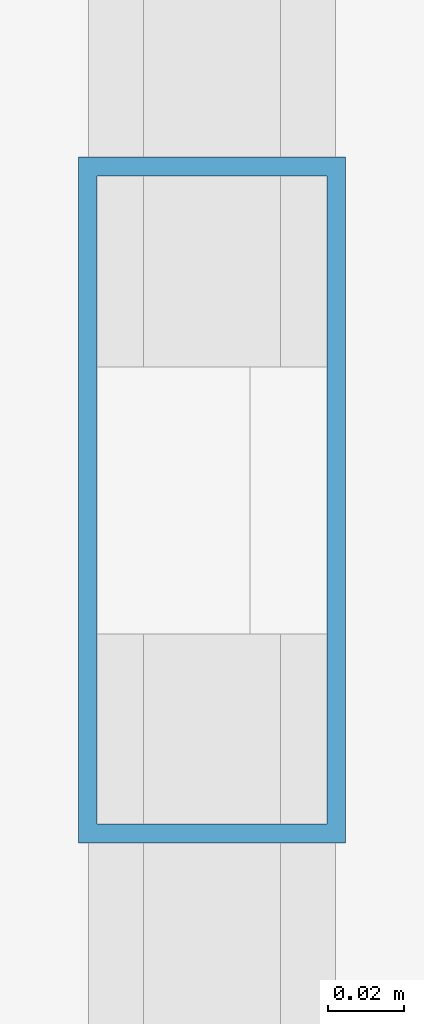
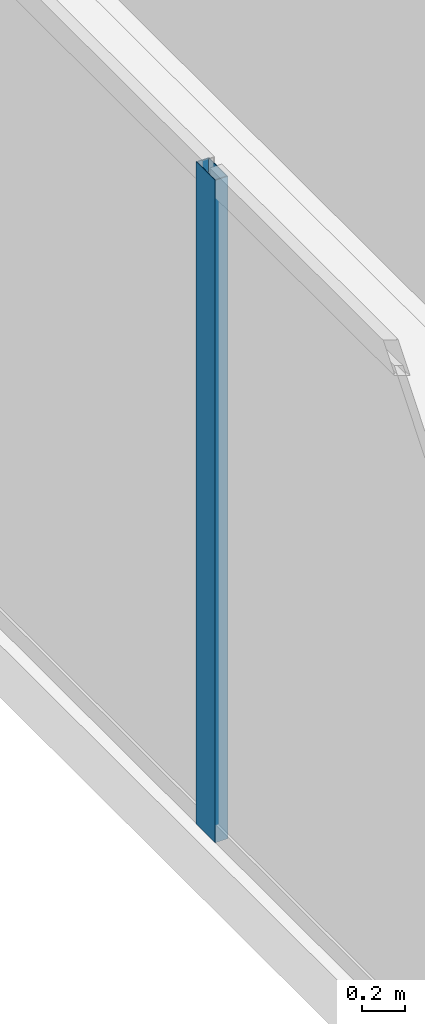
# One storey, part 9 of 36: 1 member, 1 element without a shape of its own.
"""IFC4 building model written with IfcOpenShell, lengths in metres."""

from ifc_helpers import new_model, si_unit, direction, frame, origin, origin_2d, place, context, subcontext, project, spatial, hollow_rectangle, extrude, source, transform, mapped, material, layer, layer_set, material_profile, profile_set, type_object, type_shapes, element, aggregate, save


model = new_model("IFC4")

# Units and contexts
model_context = context("Model", 3, precision=1e-05, world=origin(), true_north=direction((0.0, 1.0)))
body_context = subcontext(model_context, "Body", "Model", "MODEL_VIEW")
ifc_project = project(units=[si_unit("LENGTHUNIT", "METRE"), si_unit("AREAUNIT", "SQUARE_METRE"), si_unit("VOLUMEUNIT", "CUBIC_METRE"), si_unit("PLANEANGLEUNIT", "RADIAN"), si_unit("MASSUNIT", "GRAM", prefix="KILO")], contexts=[model_context])

# Site, building, storey
site_placement = place(None, origin())
site = spatial("IfcSite", under=ifc_project, at=site_placement, CompositionType="ELEMENT")
building_placement = place(site_placement, origin())
building = spatial("IfcBuilding", under=site, at=building_placement, Name="Haelvirn Gate Laboratories", CompositionType="ELEMENT")
storey_placement = place(building_placement, frame((0.0, 0.0, 254.699951171875)))
storey = spatial("IfcBuildingStorey", under=building, at=storey_placement, Name="L61", CompositionType="ELEMENT", Elevation=254.699951171875)

# Curtain wall, member
ifc_material_1 = material(Name="Anodised bronze unitised aluminium & triple low-E glass", Category="aluminium")
ifc_layer = layer(ifc_material_1, 0.176025390625, Name="CW-SYS-4")
ifc_layer_set = layer_set([ifc_layer], Name="Anodised bronze unitised aluminium & triple low-E glass")
curtain_wall_type = type_object("IfcCurtainWallType", Name="CW-SYS-4", PredefinedType="NOTDEFINED", material=ifc_layer_set)
curtain_wall_placement = place(storey_placement, origin())
curtain_wall = element("IfcCurtainWall", 1, at=curtain_wall_placement, inside=storey, type_object=curtain_wall_type, Name="L61 Unitised Curtain Wall CW-L61-P0-E17", PredefinedType="NOTDEFINED")
ifc_material_2 = material(Name="Extruded aluminium 6063-T6 (anodised bronze)", Category="aluminium")
ifc_material_profile = material_profile(ifc_material_2, hollow_rectangle(XDim=0.070068359375, YDim=0.179931640625, WallThickness=0.0048828125, at=origin_2d()), Name="CWM-180x70x5")
ifc_profile_set = profile_set([ifc_material_profile], Name="Extruded aluminium 6063-T6 (anodised bronze)")
member_type = type_object("IfcMemberType", Name="CWM-T180", PredefinedType="MULLION", material=ifc_profile_set)
shared_shape = source(origin(), body_context, "Body", "SweptSolid", [
    extrude(hollow_rectangle(XDim=0.070068359375, YDim=0.179931640625, WallThickness=0.0048828125, at=origin_2d()), origin(), (0.0, 0.0, 1.0), 3.800048828125),
])
type_shapes(member_type, [shared_shape])
member_placement = place(storey_placement, frame((4.10009765625, 24.300048828125, 0.0), z_axis=(0.0, 0.0, 1.0), x_axis=(1.0, 0.0, 0.0)))
member = element("IfcMember", 2, at=member_placement, type_object=member_type, Name="CW4 mullion 2", PredefinedType="MULLION", context=body_context, shape_type="MappedRepresentation", body=[
    mapped(shared_shape, transform((0.0, 0.0, 0.0), scale=1.0)),
])
aggregate(curtain_wall, [member])

save(model, "model.ifc")
